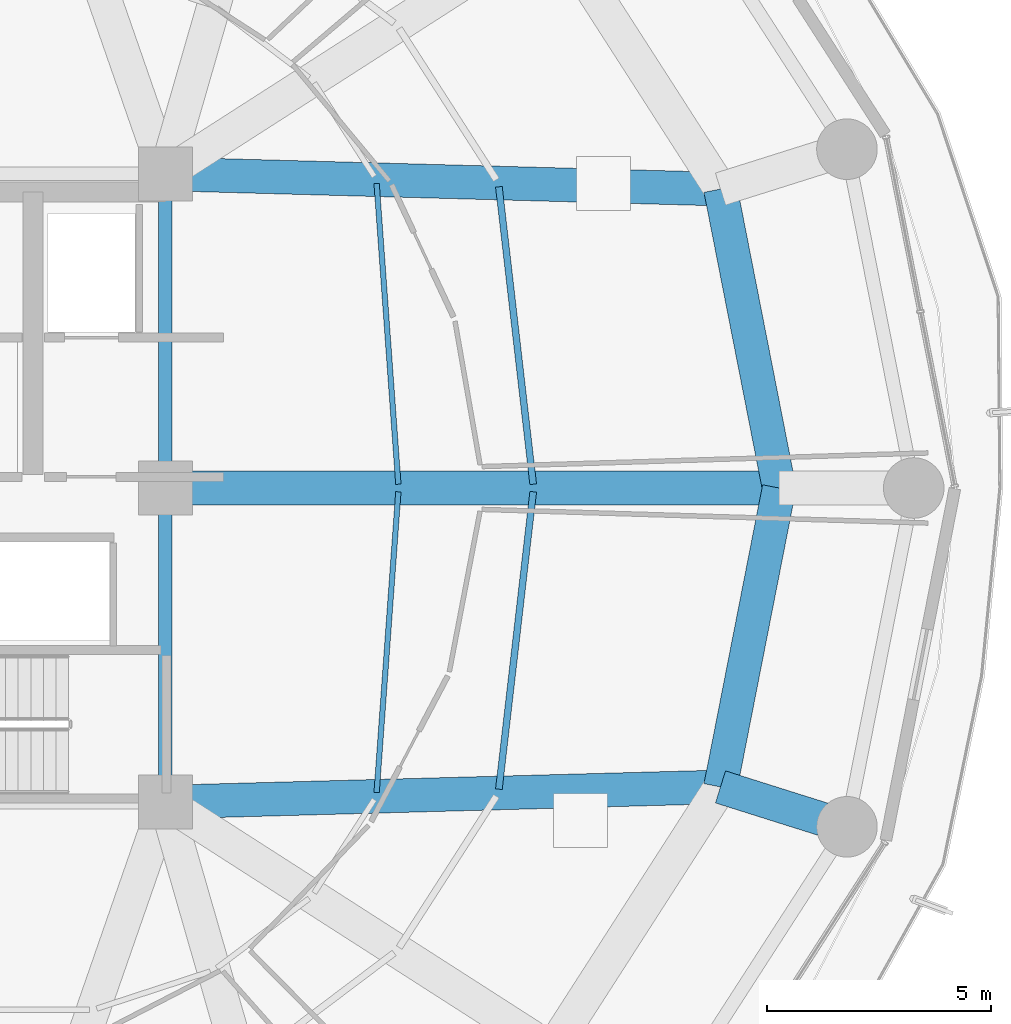
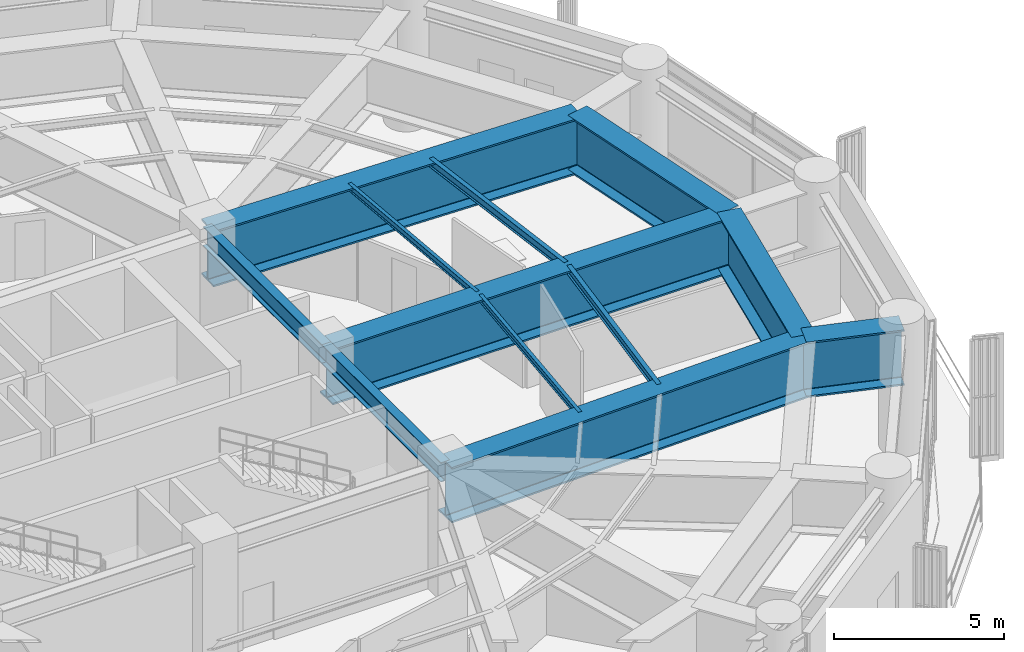
# One storey, part 13 of 34: 12 beams.
"""IFC4 building model written with IfcOpenShell, lengths in metres."""

from ifc_helpers import new_model, si_unit, direction, frame, origin, origin_2d, place, context, subcontext, project, spatial, i_section, extrude, material, material_profile, profile_set, type_object, element, save


model = new_model("IFC4")

# Units and contexts
model_context = context("Model", 3, precision=1e-05, world=origin(), true_north=direction((0.0, 1.0)))
body_context = subcontext(model_context, "Body", "Model", "MODEL_VIEW")
ifc_project = project(units=[si_unit("LENGTHUNIT", "METRE"), si_unit("AREAUNIT", "SQUARE_METRE"), si_unit("VOLUMEUNIT", "CUBIC_METRE"), si_unit("PLANEANGLEUNIT", "RADIAN"), si_unit("MASSUNIT", "GRAM", prefix="KILO")], contexts=[model_context])

# Site, building, storey
site_placement = place(None, origin())
site = spatial("IfcSite", under=ifc_project, at=site_placement, CompositionType="ELEMENT")
building_placement = place(site_placement, origin())
building = spatial("IfcBuilding", under=site, at=building_placement, Name="Kelanora Arch Commons", CompositionType="ELEMENT")
storey_placement = place(building_placement, frame((0.0, 0.0, 125.10009765625)))
storey = spatial("IfcBuildingStorey", under=building, at=storey_placement, Name="L32", CompositionType="ELEMENT", Elevation=125.10009765625)

# Beams
ifc_material = material(Name="Steel S355", Category="steel")
ifc_material_profile_1 = material_profile(ifc_material, i_section(OverallWidth=0.300048828125, OverallDepth=0.699951171875, WebThickness=0.01708984375, FlangeThickness=0.031982421875, FilletRadius=0.027099609375, at=origin_2d()), Name="HEB700")
ifc_profile_set_1 = profile_set([ifc_material_profile_1], Name="Steel S355")
beam_type_1 = type_object("IfcBeamType", Name="BM-CORE-HDR", PredefinedType="BEAM", material=ifc_profile_set_1)
for number, where, z_axis, x_axis, name in (
    (1, (82.0, 51.0, 4.010009765625), (0.0, 1.0, 0.0), (-1.0, 0.0, 0.0), "Core Header Beam 03 L32"),
    (2, (82.0, 58.0, 4.010009765625), (0.0, 1.0, 0.0), (-1.0, 0.0, 0.0), "Core Header Beam 04 L32"),
):
    element("IfcBeam", number, at=place(storey_placement, frame(where, z_axis=z_axis, x_axis=x_axis)), inside=storey, type_object=beam_type_1, Name=name, PredefinedType="BEAM", context=body_context, shape_type="SweptSolid", body=[
        extrude(i_section(OverallWidth=0.300048828125, OverallDepth=0.699951171875, WebThickness=0.01708984375, FlangeThickness=0.031982421875, FilletRadius=0.027099609375, at=origin_2d()), origin(), (0.0, 0.0, 1.0), 7.0),
    ])
ifc_material_profile_2 = material_profile(ifc_material, i_section(OverallWidth=0.14990234375, OverallDepth=0.300048828125, WebThickness=0.007080078125, FlangeThickness=0.0107421875, FilletRadius=0.014892578125, at=origin_2d()), Name="IPE300")
ifc_profile_set_2 = profile_set([ifc_material_profile_2], Name="Steel S355")
beam_type_2 = type_object("IfcBeamType", Name="BM-JST-01", PredefinedType="JOIST", material=ifc_profile_set_2)
for number, where, z_axis, x_axis, name in (
    (3, (90.1982421875, 58.08447265625, 4.2099609375), (-0.114667159005, 0.9934039675, 0.0), (-0.9934039675, -0.114667159005, 0.0), "Secondary Chord Joist BJB-00 L32"),
    (4, (89.43310546875, 51.286865234375, 4.2099609375), (0.114667159005, 0.9934039675, 0.0), (-0.9934039675, 0.114667159005, 0.0), "Secondary Chord Joist BJB-34 L32"),
):
    element("IfcBeam", number, at=place(storey_placement, frame(where, z_axis=z_axis, x_axis=x_axis)), inside=storey, type_object=beam_type_2, Name=name, PredefinedType="JOIST", context=body_context, shape_type="SweptSolid", body=[
        extrude(i_section(OverallWidth=0.14990234375, OverallDepth=0.300048828125, WebThickness=0.007080078125, FlangeThickness=0.0107421875, FilletRadius=0.014892578125, at=origin_2d()), origin(), (0.0, 0.0, 1.0), 6.672607421875),
    ])
ifc_material_profile_3 = material_profile(ifc_material, i_section(OverallWidth=0.1201171875, OverallDepth=0.239990234375, WebThickness=0.006103515625, FlangeThickness=0.009765625, FilletRadius=0.014892578125, at=origin_2d()), Name="IPE240")
ifc_profile_set_3 = profile_set([ifc_material_profile_3], Name="Steel S355")
beam_type_3 = type_object("IfcBeamType", Name="BM-JST-02", PredefinedType="JOIST", material=ifc_profile_set_3)
for number, where, z_axis, x_axis, name in (
    (5, (87.1923828125, 58.084716796875, 4.239990234375), (-0.072117123738, 0.997396170267, 0.0), (-0.997396170267, -0.072117123738, 0.0), "Secondary Chord Joist BJA-00 L32"),
    (6, (86.707763671875, 51.212890625, 4.239990234375), (0.072117123738, 0.997396170267, 0.0), (-0.997396170267, 0.072117123738, 0.0), "Secondary Chord Joist BJA-34 L32"),
):
    element("IfcBeam", number, at=place(storey_placement, frame(where, z_axis=z_axis, x_axis=x_axis)), inside=storey, type_object=beam_type_3, Name=name, PredefinedType="JOIST", context=body_context, shape_type="SweptSolid", body=[
        extrude(i_section(OverallWidth=0.1201171875, OverallDepth=0.239990234375, WebThickness=0.006103515625, FlangeThickness=0.009765625, FilletRadius=0.014892578125, at=origin_2d()), origin(), (0.0, 0.0, 1.0), 6.719970703125),
    ])
ifc_material_profile_4 = material_profile(ifc_material, i_section(OverallWidth=0.75, OverallDepth=2.0, WebThickness=0.034912109375, FlangeThickness=0.06005859375, FilletRadius=0.028076171875, at=origin_2d()), Name="PG2000x750")
ifc_profile_set_4 = profile_set([ifc_material_profile_4], Name="Steel S355")
beam_type_4 = type_object("IfcBeamType", Name="BM-XFER-SET", PredefinedType="USERDEFINED", material=ifc_profile_set_4)
beam_1_placement = place(storey_placement, frame((82.0, 58.0, 3.35986328125), z_axis=(1.0, 0.0, 0.0), x_axis=(0.0, 1.0, 0.0)))
element("IfcBeam", 7, at=beam_1_placement, inside=storey, type_object=beam_type_4, Name="Setback Radial Transfer Girder BRI-00 L32", ObjectType="TRANSFER_GIRDER", PredefinedType="USERDEFINED", context=body_context, shape_type="SweptSolid", body=[
    extrude(i_section(OverallWidth=0.75, OverallDepth=2.0, WebThickness=0.034912109375, FlangeThickness=0.06005859375, FilletRadius=0.028076171875, at=origin_2d()), origin(), (0.0, 0.0, 1.0), 13.679931640625),
])
for number, where, z_axis, x_axis, name in (
    (8, (82.0, 65.0, 3.35986328125), (0.999628374924, -0.027260081577, 0.0), (0.027260081577, 0.999628374924, 0.0), "Setback Radial Transfer Girder BRI-02 L32"),
    (9, (82.0, 51.0, 3.35986328125), (0.999628374924, 0.027260081577, 0.0), (-0.027260081577, 0.999628374924, 0.0), "Setback Radial Transfer Girder BRI-34 L32"),
):
    element("IfcBeam", number, at=place(storey_placement, frame(where, z_axis=z_axis, x_axis=x_axis)), inside=storey, type_object=beam_type_4, Name=name, ObjectType="TRANSFER_GIRDER", PredefinedType="USERDEFINED", context=body_context, shape_type="SweptSolid", body=[
        extrude(i_section(OverallWidth=0.75, OverallDepth=2.0, WebThickness=0.034912109375, FlangeThickness=0.06005859375, FilletRadius=0.028076171875, at=origin_2d()), origin(), (0.0, 0.0, 1.0), 12.377197265625),
    ])
beam_2_placement = place(storey_placement, frame((94.37255859375, 51.33740234375, 3.35986328125), z_axis=(0.953687459381, -0.300799318184, 0.0), x_axis=(0.300799318184, 0.953687459381, 0.0)))
element("IfcBeam", 10, at=beam_2_placement, inside=storey, type_object=beam_type_4, Name="Radial Floor Girder BR-34 L32", ObjectType="TRANSFER_GIRDER", PredefinedType="USERDEFINED", context=body_context, shape_type="SweptSolid", body=[
    extrude(i_section(OverallWidth=0.75, OverallDepth=2.0, WebThickness=0.034912109375, FlangeThickness=0.06005859375, FilletRadius=0.028076171875, at=origin_2d()), origin(), (0.0, 0.0, 1.0), 2.9560546875),
])
for number, where, z_axis, x_axis, name in (
    (11, (95.679931640625, 58.0, 3.35986328125), (-0.192553643556, 0.981286448675, 0.0), (-0.981286448675, -0.192553643556, 0.0), "Setback Inner Transfer Ring BSI-00 L32"),
    (12, (94.37255859375, 51.33740234375, 3.35986328125), (0.192553643556, 0.981286448675, 0.0), (-0.981286448675, 0.192553643556, 0.0), "Setback Inner Transfer Ring BSI-34 L32"),
):
    element("IfcBeam", number, at=place(storey_placement, frame(where, z_axis=z_axis, x_axis=x_axis)), inside=storey, type_object=beam_type_4, Name=name, ObjectType="TRANSFER_GIRDER", PredefinedType="USERDEFINED", context=body_context, shape_type="SweptSolid", body=[
        extrude(i_section(OverallWidth=0.75, OverallDepth=2.0, WebThickness=0.034912109375, FlangeThickness=0.06005859375, FilletRadius=0.028076171875, at=origin_2d()), origin(), (0.0, 0.0, 1.0), 6.78955078125),
    ])

save(model, "model.ifc")
